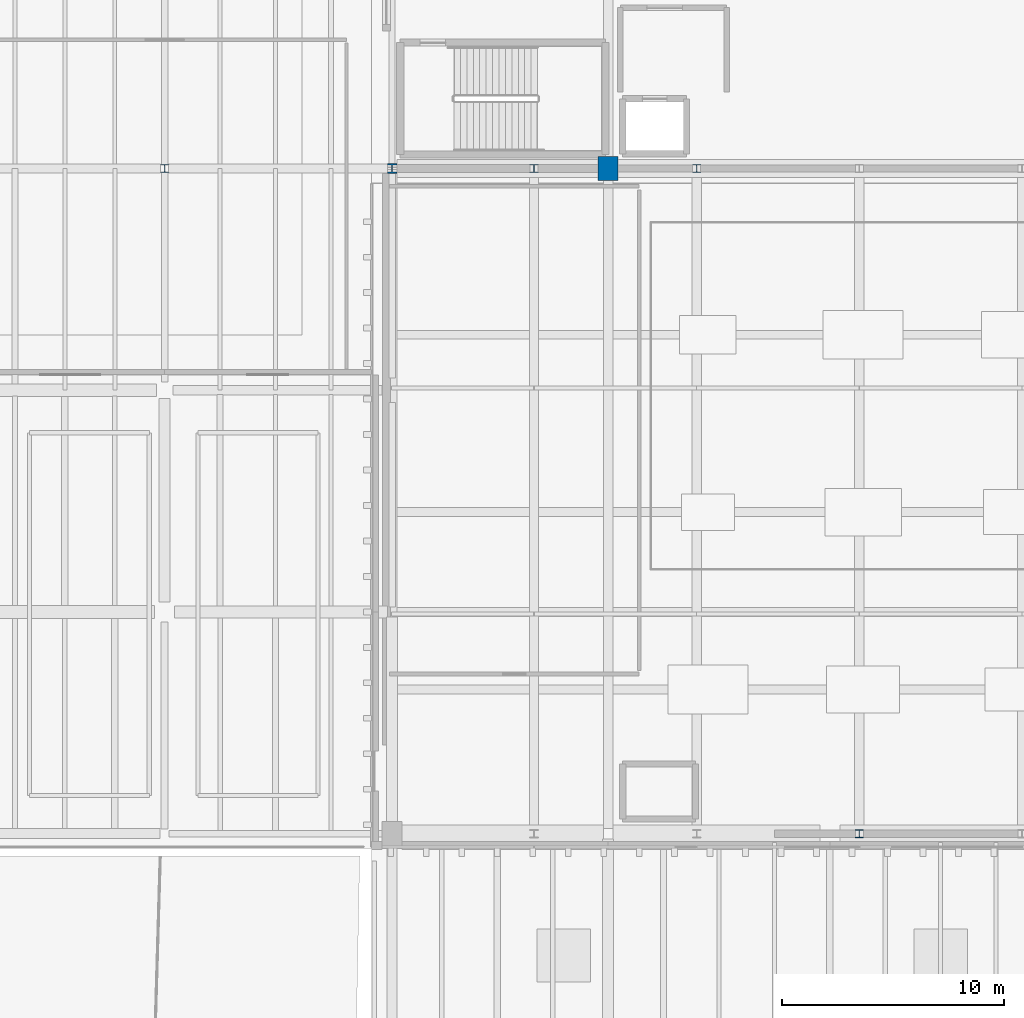
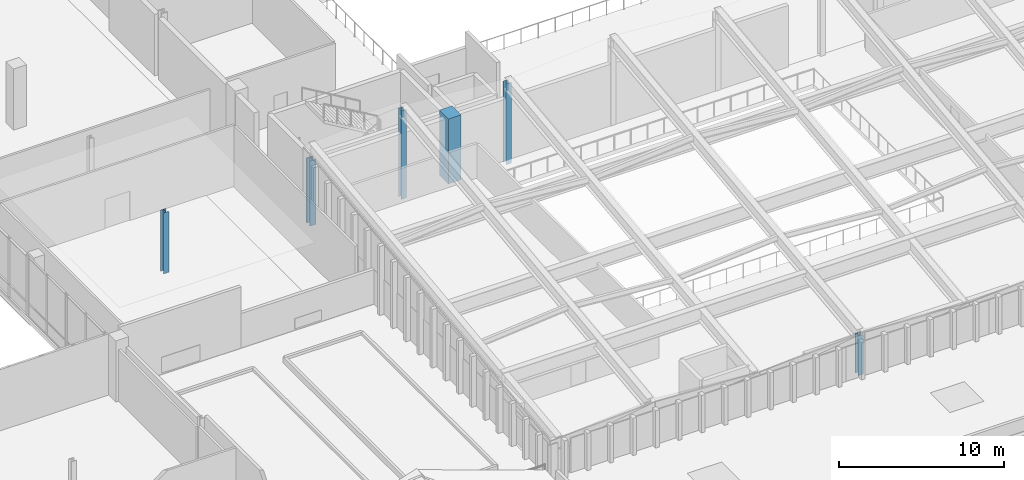
# One storey, part 4 of 30: 6 columns.
"""IFC4 building model written with IfcOpenShell, lengths in metres."""

from ifc_helpers import new_model, si_unit, direction, frame, origin, origin_2d, place, context, subcontext, project, spatial, rectangle, i_section, extrude, material, material_profile, profile_set, type_object, element, save


model = new_model("IFC4")

# Units and contexts
model_context = context("Model", 3, precision=1e-05, world=origin(), true_north=direction((0.0, 1.0)))
body_context = subcontext(model_context, "Body", "Model", "MODEL_VIEW")
ifc_project = project(units=[si_unit("LENGTHUNIT", "METRE"), si_unit("AREAUNIT", "SQUARE_METRE"), si_unit("VOLUMEUNIT", "CUBIC_METRE"), si_unit("PLANEANGLEUNIT", "RADIAN"), si_unit("MASSUNIT", "GRAM", prefix="KILO")], contexts=[model_context])

# Site, building, storey
site_placement = place(None, origin())
site = spatial("IfcSite", under=ifc_project, at=site_placement, CompositionType="ELEMENT")
building_placement = place(site_placement, origin())
building = spatial("IfcBuilding", under=site, at=building_placement, Name="Trimount Lyric Opera House", CompositionType="ELEMENT")
storey_placement = place(building_placement, frame((0.0, 0.0, 24.800048828125)))
storey = spatial("IfcBuildingStorey", under=building, at=storey_placement, Name="L05", CompositionType="ELEMENT", Elevation=24.800048828125)

# Columns
ifc_material_1 = material(Name="Steel ASTM A992 Grade 50", Category="steel")
ifc_material_profile_1 = material_profile(ifc_material_1, i_section(OverallWidth=0.422119140625, OverallDepth=0.465087890625, WebThickness=0.044921875, FlangeThickness=0.072509765625, FilletRadius=0.02001953125, at=origin_2d()), Name="W14X398")
ifc_profile_set_1 = profile_set([ifc_material_profile_1], Name="Steel ASTM A992 Grade 50")
column_type_1 = type_object("IfcColumnType", Name="C-01", PredefinedType="COLUMN", material=ifc_profile_set_1)
column_1_placement = place(storey_placement, frame((64.260009765625, 84.0, 0.0), z_axis=(0.0, 0.0, 1.0), x_axis=(1.0, 0.0, 0.0)))
element("IfcColumn", 1, at=column_1_placement, inside=storey, type_object=column_type_1, Name="L05 column 8/K", PredefinedType="COLUMN", context=body_context, shape_type="SweptSolid", body=[
    extrude(i_section(OverallWidth=0.422119140625, OverallDepth=0.465087890625, WebThickness=0.044921875, FlangeThickness=0.072509765625, FilletRadius=0.02001953125, at=origin_2d()), origin(), (0.0, 0.0, 1.0), 4.800048828125),
])
ifc_material_2 = material(Name="Steel ASTM A992 Grade 50", Category="steel")
ifc_material_profile_2 = material_profile(ifc_material_2, i_section(OverallWidth=0.367919921875, OverallDepth=0.35595703125, WebThickness=0.01123046875, FlangeThickness=0.01806640625, FilletRadius=0.014892578125, at=origin_2d()), Name="W14X90")
ifc_profile_set_2 = profile_set([ifc_material_profile_2], Name="Steel ASTM A992 Grade 50")
column_type_2 = type_object("IfcColumnType", Name="C-05", PredefinedType="COLUMN", material=ifc_profile_set_2)
column_2_placement = place(storey_placement, frame((70.6572265625, 84.0, -0.300048828125), z_axis=(0.0, 0.0, 1.0), x_axis=(1.0, 0.0, 0.0)))
element("IfcColumn", 2, at=column_2_placement, inside=storey, type_object=column_type_2, Name="Auditorium folded roof internal post 2N", PredefinedType="COLUMN", context=body_context, shape_type="SweptSolid", body=[
    extrude(i_section(OverallWidth=0.367919921875, OverallDepth=0.35595703125, WebThickness=0.01123046875, FlangeThickness=0.01806640625, FilletRadius=0.014892578125, at=origin_2d()), origin(), (0.0, 0.0, 1.0), 6.556396484375),
])
column_3_placement = place(storey_placement, frame((77.994384765625, 84.0, -0.300048828125), z_axis=(0.0, 0.0, 1.0), x_axis=(1.0, 0.0, 0.0)))
element("IfcColumn", 3, at=column_3_placement, inside=storey, type_object=column_type_2, Name="Auditorium folded roof internal post 3N", PredefinedType="COLUMN", context=body_context, shape_type="SweptSolid", body=[
    extrude(i_section(OverallWidth=0.367919921875, OverallDepth=0.35595703125, WebThickness=0.01123046875, FlangeThickness=0.01806640625, FilletRadius=0.014892578125, at=origin_2d()), origin(), (0.0, 0.0, 1.0), 5.986572265625),
])
column_4_placement = place(storey_placement, frame((85.33154296875, 54.0, -0.300048828125), z_axis=(0.0, 0.0, 1.0), x_axis=(1.0, 0.0, 0.0)))
element("IfcColumn", 4, at=column_4_placement, inside=storey, type_object=column_type_2, Name="Auditorium folded roof internal post 4S", PredefinedType="COLUMN", context=body_context, shape_type="SweptSolid", body=[
    extrude(i_section(OverallWidth=0.367919921875, OverallDepth=0.35595703125, WebThickness=0.01123046875, FlangeThickness=0.01806640625, FilletRadius=0.014892578125, at=origin_2d()), origin(), (0.0, 0.0, 1.0), 2.926513671875),
])
ifc_material_3 = material(Name="Steel ASTM A992 Grade 50", Category="steel")
ifc_material_profile_3 = material_profile(ifc_material_3, i_section(OverallWidth=0.367919921875, OverallDepth=0.35595703125, WebThickness=0.01123046875, FlangeThickness=0.01806640625, FilletRadius=0.014892578125, at=origin_2d()), Name="W14X90")
ifc_profile_set_3 = profile_set([ifc_material_profile_3], Name="Steel ASTM A992 Grade 50")
column_type_3 = type_object("IfcColumnType", Name="C-09", PredefinedType="COLUMN", material=ifc_profile_set_3)
column_5_placement = place(storey_placement, frame((54.0, 84.0, 0.0), z_axis=(0.0, 0.0, 1.0), x_axis=(1.0, 0.0, 0.0)))
element("IfcColumn", 5, at=column_5_placement, inside=storey, type_object=column_type_3, Name="L05 column 7/K", PredefinedType="COLUMN", context=body_context, shape_type="SweptSolid", body=[
    extrude(i_section(OverallWidth=0.367919921875, OverallDepth=0.35595703125, WebThickness=0.01123046875, FlangeThickness=0.01806640625, FilletRadius=0.014892578125, at=origin_2d()), origin(), (0.0, 0.0, 1.0), 4.530029296875),
])
ifc_material_4 = material(Name="Concrete C50/60", Category="concrete")
ifc_material_profile_4 = material_profile(ifc_material_4, rectangle(XDim=0.89990234375, YDim=1.10009765625, at=origin_2d()), Name="RC1100X900")
ifc_profile_set_4 = profile_set([ifc_material_profile_4], Name="Concrete C50/60")
column_type_4 = type_object("IfcColumnType", Name="C-11", PredefinedType="COLUMN", material=ifc_profile_set_4)
column_6_placement = place(storey_placement, frame((74.0, 84.0, 0.0), z_axis=(0.0, 0.0, 1.0), x_axis=(1.0, 0.0, 0.0)))
element("IfcColumn", 6, at=column_6_placement, inside=storey, type_object=column_type_4, Name="L05 column 9/K", PredefinedType="COLUMN", context=body_context, shape_type="SweptSolid", body=[
    extrude(rectangle(XDim=0.89990234375, YDim=1.10009765625, at=origin_2d()), origin(), (0.0, 0.0, 1.0), 4.800048828125),
])

save(model, "model.ifc")
